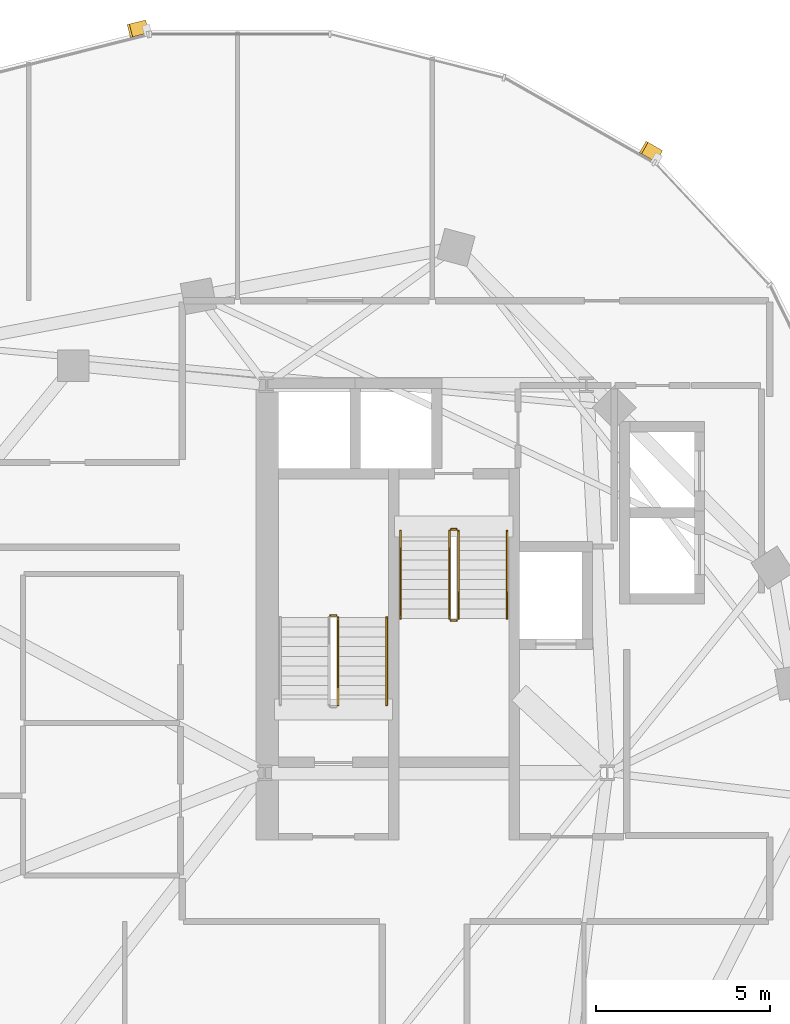
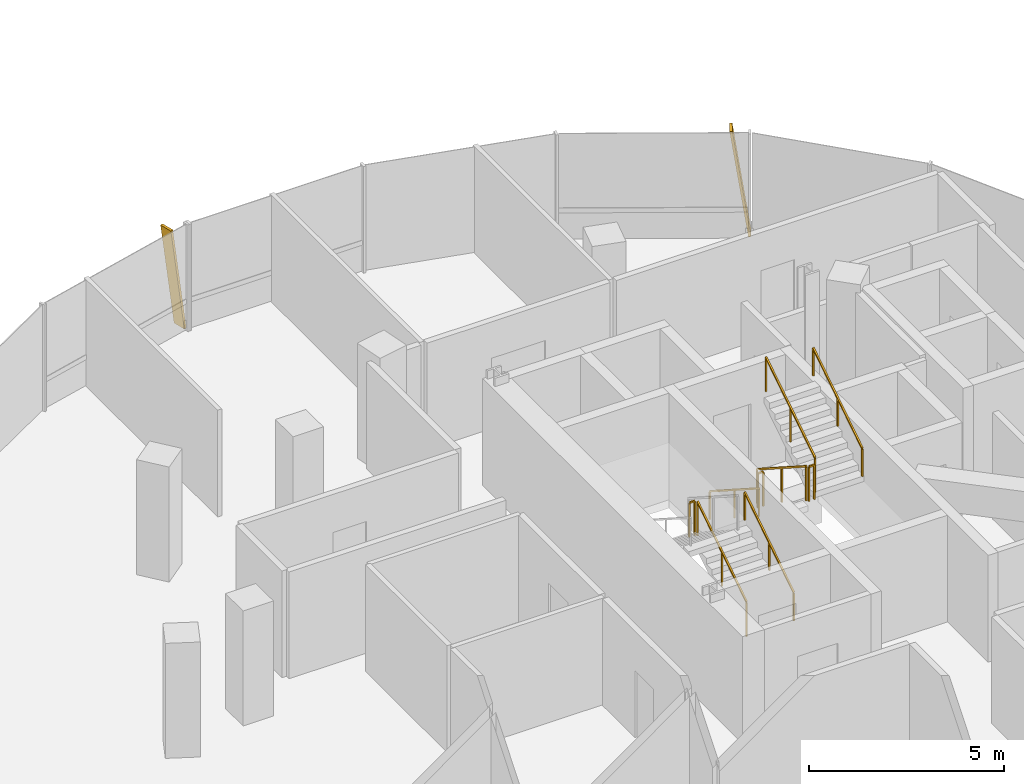
# One storey, part 23 of 25: 9 railings, 2 shading devices.
"""IFC4 building model written with IfcOpenShell, lengths in metres."""

from ifc_helpers import new_model, si_unit, direction, frame, origin, origin_2d, place, context, subcontext, project, spatial, rectangle, extrude, material, material_profile, profile_set, type_object, element, save


model = new_model("IFC4")

# Units and contexts
model_context = context("Model", 3, precision=1e-05, world=origin(), true_north=direction((0.0, 1.0)))
body_context = subcontext(model_context, "Body", "Model", "MODEL_VIEW")
ifc_project = project(units=[si_unit("LENGTHUNIT", "METRE"), si_unit("AREAUNIT", "SQUARE_METRE"), si_unit("VOLUMEUNIT", "CUBIC_METRE"), si_unit("PLANEANGLEUNIT", "RADIAN"), si_unit("MASSUNIT", "GRAM", prefix="KILO"), si_unit("THERMODYNAMICTEMPERATUREUNIT", "KELVIN"), si_unit("POWERUNIT", "WATT")], contexts=[model_context])

# Site, building, storey
site_placement = place(None, origin())
site = spatial("IfcSite", under=ifc_project, at=site_placement, CompositionType="ELEMENT")
building_placement = place(site_placement, origin())
building = spatial("IfcBuilding", under=site, at=building_placement, Name="Cundina Bronze Exchange", CompositionType="ELEMENT")
storey_placement = place(building_placement, frame((0.0, 0.0, 199.0)))
storey = spatial("IfcBuildingStorey", under=building, at=storey_placement, Name="L52", CompositionType="ELEMENT", Elevation=199.0)

# Railings
ifc_material_1 = material(Name="Steel ASTM A36 Painted", Category="steel")
railing_type_1 = type_object("IfcRailingType", Name="RLG-HND-900", PredefinedType="HANDRAIL", material=ifc_material_1)
railing_1_placement = place(storey_placement, frame((-27.7900390625, 5.85009765625, 0.179931640625)))
element("IfcRailing", 1, at=railing_1_placement, inside=storey, type_object=railing_type_1, Name="L52 ST-W1 stair handrail 1", PredefinedType="HANDRAIL", context=body_context, shape_type="SweptSolid", body=[
    extrude(rectangle(XDim=0.048095703125, YDim=0.048095703125, at=origin_2d()), frame((0.0, 0.0, 0.8759765625), z_axis=(0.0, 0.841162588446, 0.540782303519), x_axis=(-1.0, 0.0, 0.0)), (0.0, 0.0, 1.0), 2.995849609375),
    extrude(rectangle(XDim=0.0419921875, YDim=0.0419921875, at=origin_2d()), origin(), (0.0, 0.0, 1.0), 0.851806640625),
    extrude(rectangle(XDim=0.0419921875, YDim=0.0419921875, at=origin_2d()), frame((0.0, 1.260009765625, 0.81005859375)), (0.0, 0.0, 1.0), 0.851806640625),
    extrude(rectangle(XDim=0.0419921875, YDim=0.0419921875, at=origin_2d()), frame((0.0, 2.52001953125, 1.6201171875)), (0.0, 0.0, 1.0), 0.851806640625),
])
railing_2_placement = place(storey_placement, frame((-27.389892578125, 10.85009765625, 0.179931640625)))
element("IfcRailing", 2, at=railing_2_placement, inside=storey, type_object=railing_type_1, Name="L52 ST-W2 stair handrail 1", PredefinedType="HANDRAIL", context=body_context, shape_type="SweptSolid", body=[
    extrude(rectangle(XDim=0.048095703125, YDim=0.048095703125, at=origin_2d()), frame((0.0, 0.0, 0.8759765625), z_axis=(0.0, -0.841162588446, 0.540782303519), x_axis=(1.0, 0.0, 0.0)), (0.0, 0.0, 1.0), 2.995849609375),
    extrude(rectangle(XDim=0.0419921875, YDim=0.0419921875, at=origin_2d()), origin(), (0.0, 0.0, 1.0), 0.851806640625),
    extrude(rectangle(XDim=0.0419921875, YDim=0.0419921875, at=origin_2d()), frame((0.0, -1.260009765625, 0.81005859375)), (0.0, 0.0, 1.0), 0.851806640625),
    extrude(rectangle(XDim=0.0419921875, YDim=0.0419921875, at=origin_2d()), frame((0.0, -2.52001953125, 1.6201171875)), (0.0, 0.0, 1.0), 0.851806640625),
])
railing_3_placement = place(storey_placement, frame((-24.330078125, 8.330078125, 1.97998046875)))
element("IfcRailing", 3, at=railing_3_placement, inside=storey, type_object=railing_type_1, Name="L52 ST-W2 stair handrail 2", PredefinedType="HANDRAIL", context=body_context, shape_type="SweptSolid", body=[
    extrude(rectangle(XDim=0.048095703125, YDim=0.048095703125, at=origin_2d()), frame((0.0, 0.0, 0.8759765625), z_axis=(0.0, 0.841162588446, 0.540782303519), x_axis=(-1.0, 0.0, 0.0)), (0.0, 0.0, 1.0), 2.995849609375),
    extrude(rectangle(XDim=0.0419921875, YDim=0.0419921875, at=origin_2d()), origin(), (0.0, 0.0, 1.0), 0.851806640625),
    extrude(rectangle(XDim=0.0419921875, YDim=0.0419921875, at=origin_2d()), frame((0.0, 1.260009765625, 0.81005859375)), (0.0, 0.0, 1.0), 0.851806640625),
    extrude(rectangle(XDim=0.0419921875, YDim=0.0419921875, at=origin_2d()), frame((0.0, 2.52001953125, 1.6201171875)), (0.0, 0.0, 1.0), 0.851806640625),
])
railing_type_2 = type_object("IfcRailingType", Name="RLG-STG-1100", PredefinedType="GUARDRAIL", material=ifc_material_1)
railing_4_placement = place(storey_placement, frame((-29.18994140625, 5.85009765625, 0.179931640625)))
element("IfcRailing", 4, at=railing_4_placement, inside=storey, type_object=railing_type_2, Name="L52 ST-W1 stair guard 1", PredefinedType="GUARDRAIL", context=body_context, shape_type="SweptSolid", body=[
    extrude(rectangle(XDim=0.048095703125, YDim=0.048095703125, at=origin_2d()), frame((0.0, 0.0, 1.076171875), z_axis=(0.0, 0.841162588446, 0.540782303519), x_axis=(-1.0, 0.0, 0.0)), (0.0, 0.0, 1.0), 2.995849609375),
    extrude(rectangle(XDim=0.0419921875, YDim=0.0419921875, at=origin_2d()), origin(), (0.0, 0.0, 1.0), 1.052001953125),
    extrude(rectangle(XDim=0.0419921875, YDim=0.0419921875, at=origin_2d()), frame((0.0, 1.260009765625, 0.81005859375)), (0.0, 0.0, 1.0), 1.052001953125),
    extrude(rectangle(XDim=0.0419921875, YDim=0.0419921875, at=origin_2d()), frame((0.0, 2.52001953125, 1.6201171875)), (0.0, 0.0, 1.0), 1.052001953125),
])
railing_5_placement = place(storey_placement, frame((-29.239990234375, 8.419921875, 1.800048828125)))
element("IfcRailing", 5, at=railing_5_placement, inside=storey, type_object=railing_type_2, Name="L52 ST-W1 stair guard 2", PredefinedType="GUARDRAIL", context=body_context, shape_type="SweptSolid", body=[
    extrude(rectangle(XDim=0.048095703125, YDim=0.048095703125, at=origin_2d()), frame((0.0, 0.0, 1.076171875), z_axis=(-1.0, 0.0, 0.0), x_axis=(0.0, -1.0, 0.0)), (0.0, 0.0, 1.0), 0.159912109375),
    extrude(rectangle(XDim=0.0419921875, YDim=0.0419921875, at=origin_2d()), origin(), (0.0, 0.0, 1.0), 1.052001953125),
    extrude(rectangle(XDim=0.0419921875, YDim=0.0419921875, at=origin_2d()), frame((-0.159912109375, 0.0, 0.0)), (0.0, 0.0, 1.0), 1.052001953125),
])
railing_6_placement = place(storey_placement, frame((-25.989990234375, 10.85009765625, 0.179931640625)))
element("IfcRailing", 6, at=railing_6_placement, inside=storey, type_object=railing_type_2, Name="L52 ST-W2 stair guard 1", PredefinedType="GUARDRAIL", context=body_context, shape_type="SweptSolid", body=[
    extrude(rectangle(XDim=0.048095703125, YDim=0.048095703125, at=origin_2d()), frame((0.0, 0.0, 1.076171875), z_axis=(0.0, -0.841162588446, 0.540782303519), x_axis=(1.0, 0.0, 0.0)), (0.0, 0.0, 1.0), 2.995849609375),
    extrude(rectangle(XDim=0.0419921875, YDim=0.0419921875, at=origin_2d()), origin(), (0.0, 0.0, 1.0), 1.052001953125),
    extrude(rectangle(XDim=0.0419921875, YDim=0.0419921875, at=origin_2d()), frame((0.0, -1.260009765625, 0.81005859375)), (0.0, 0.0, 1.0), 1.052001953125),
    extrude(rectangle(XDim=0.0419921875, YDim=0.0419921875, at=origin_2d()), frame((0.0, -2.52001953125, 1.6201171875)), (0.0, 0.0, 1.0), 1.052001953125),
])
railing_7_placement = place(storey_placement, frame((-25.93994140625, 8.280029296875, 1.800048828125)))
element("IfcRailing", 7, at=railing_7_placement, inside=storey, type_object=railing_type_2, Name="L52 ST-W2 stair guard 2", PredefinedType="GUARDRAIL", context=body_context, shape_type="SweptSolid", body=[
    extrude(rectangle(XDim=0.048095703125, YDim=0.048095703125, at=origin_2d()), frame((0.0, 0.0, 1.076171875), z_axis=(1.0, 0.0, 0.0), x_axis=(0.0, 1.0, 0.0)), (0.0, 0.0, 1.0), 0.159912109375),
    extrude(rectangle(XDim=0.0419921875, YDim=0.0419921875, at=origin_2d()), origin(), (0.0, 0.0, 1.0), 1.052001953125),
    extrude(rectangle(XDim=0.0419921875, YDim=0.0419921875, at=origin_2d()), frame((0.159912109375, 0.0, 0.0)), (0.0, 0.0, 1.0), 1.052001953125),
])
railing_8_placement = place(storey_placement, frame((-25.72998046875, 8.330078125, 1.97998046875)))
element("IfcRailing", 8, at=railing_8_placement, inside=storey, type_object=railing_type_2, Name="L52 ST-W2 stair guard 3", PredefinedType="GUARDRAIL", context=body_context, shape_type="SweptSolid", body=[
    extrude(rectangle(XDim=0.048095703125, YDim=0.048095703125, at=origin_2d()), frame((0.0, 0.0, 1.076171875), z_axis=(0.0, 0.841162588446, 0.540782303519), x_axis=(-1.0, 0.0, 0.0)), (0.0, 0.0, 1.0), 2.995849609375),
    extrude(rectangle(XDim=0.0419921875, YDim=0.0419921875, at=origin_2d()), origin(), (0.0, 0.0, 1.0), 1.052001953125),
    extrude(rectangle(XDim=0.0419921875, YDim=0.0419921875, at=origin_2d()), frame((0.0, 1.260009765625, 0.81005859375)), (0.0, 0.0, 1.0), 1.052001953125),
    extrude(rectangle(XDim=0.0419921875, YDim=0.0419921875, at=origin_2d()), frame((0.0, 2.52001953125, 1.6201171875)), (0.0, 0.0, 1.0), 1.052001953125),
])
railing_9_placement = place(storey_placement, frame((-25.93994140625, 10.89990234375, 0.0)))
element("IfcRailing", 9, at=railing_9_placement, inside=storey, type_object=railing_type_2, Name="L52 ST-W2 stair guard 4", PredefinedType="GUARDRAIL", context=body_context, shape_type="SweptSolid", body=[
    extrude(rectangle(XDim=0.048095703125, YDim=0.048095703125, at=origin_2d()), frame((0.0, 0.0, 1.076171875), z_axis=(1.0, 0.0, 0.0), x_axis=(0.0, 1.0, 0.0)), (0.0, 0.0, 1.0), 0.159912109375),
    extrude(rectangle(XDim=0.0419921875, YDim=0.0419921875, at=origin_2d()), origin(), (0.0, 0.0, 1.0), 1.052001953125),
    extrude(rectangle(XDim=0.0419921875, YDim=0.0419921875, at=origin_2d()), frame((0.159912109375, 0.0, 0.0)), (0.0, 0.0, 1.0), 1.052001953125),
])

# Shading devices
ifc_material_2 = material(Name="Anodised Bronze Aluminium 6063-T6", Category="aluminium")
ifc_material_profile = material_profile(ifc_material_2, rectangle(XDim=0.070068359375, YDim=0.3798828125, at=origin_2d()), Name="FIN70X380", Category="aluminium")
ifc_profile_set = profile_set([ifc_material_profile], Name="Anodised Bronze Aluminium 6063-T6")
shading_device_type = type_object("IfcShadingDeviceType", Name="SHD-FIN-BRZ380", PredefinedType="USERDEFINED", material=ifc_profile_set)
for number, where, z_axis, x_axis, name in (
    (10, (-19.984375, 21.635498046875, 0.02001953125), (-0.125189514072, 0.071087145125, 0.989582843103), (0.860526986551, -0.488638423358, 0.143964567292), "L52 Diagonal Bronze Solar Fin 5"),
    (11, (-34.705810546875, 25.344482421875, 0.02001953125), (-0.139611891367, -0.03514090606, 0.989582556693), (0.959650042543, 0.24154799183, 0.143966536007), "L52 Diagonal Bronze Solar Fin 1"),
):
    element("IfcShadingDevice", number, at=place(storey_placement, frame(where, z_axis=z_axis, x_axis=x_axis)), inside=storey, type_object=shading_device_type, Name=name, ObjectType="FIN", PredefinedType="USERDEFINED", context=body_context, shape_type="SweptSolid", body=[
        extrude(rectangle(XDim=0.070068359375, YDim=0.3798828125, at=origin_2d()), origin(), (0.0, 0.0, 1.0), 3.334716796875),
    ])

save(model, "model.ifc")
